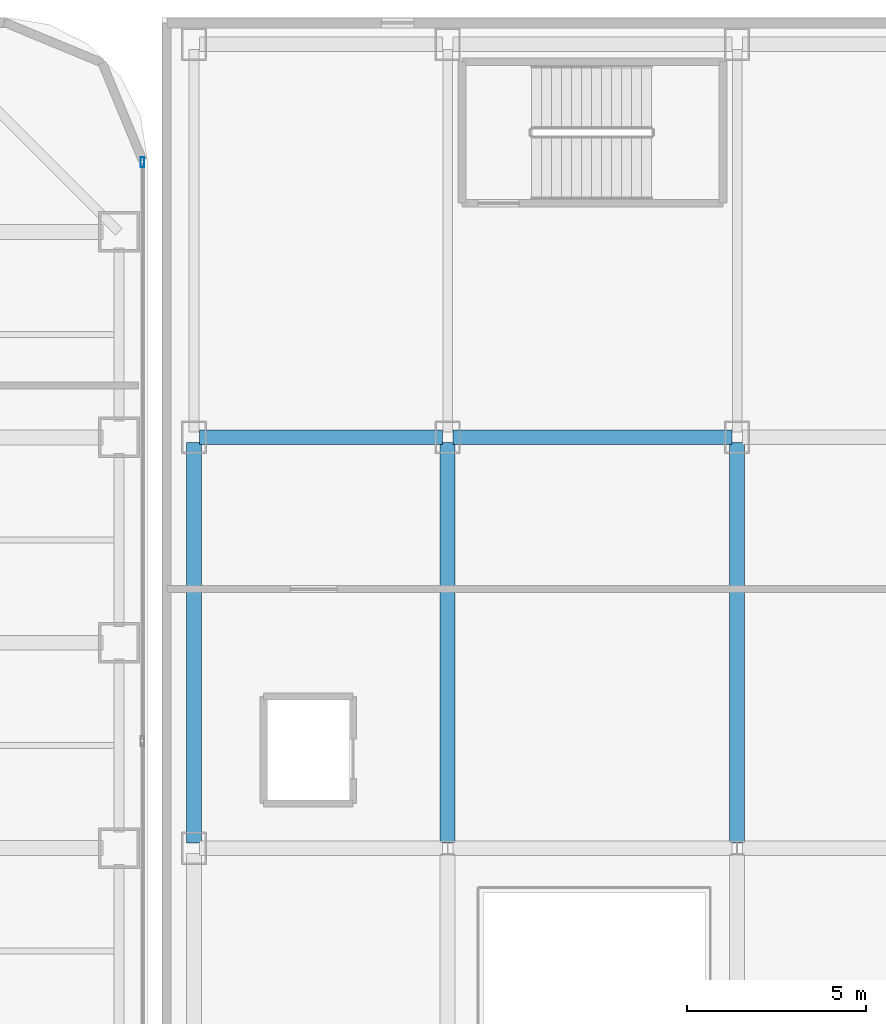
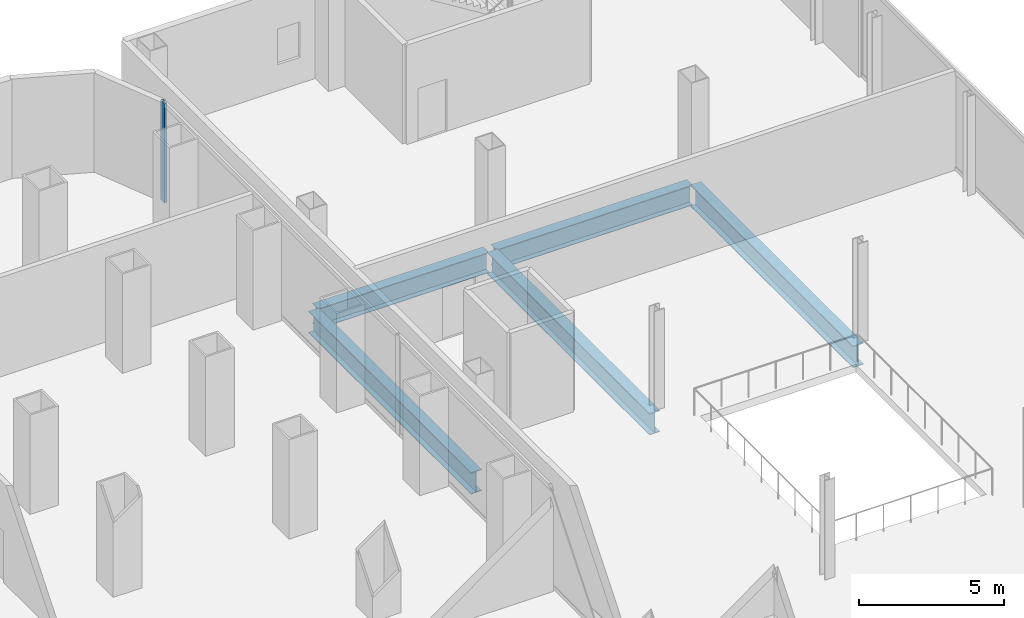
# One storey, part 14 of 27: 5 beams, 1 member, 1 element without a shape of its own.
"""IFC4 building model written with IfcOpenShell, lengths in metres."""

from ifc_helpers import new_model, si_unit, direction, frame, origin, origin_2d, place, context, subcontext, project, spatial, hollow_rectangle, i_section, extrude, source, transform, mapped, material, layer, layer_set, material_profile, profile_set, type_object, element, aggregate, save


model = new_model("IFC4")

# Units and contexts
model_context = context("Model", 3, precision=1e-05, world=origin(), true_north=direction((0.0, 1.0)))
body_context = subcontext(model_context, "Body", "Model", "MODEL_VIEW")
ifc_project = project(units=[si_unit("LENGTHUNIT", "METRE"), si_unit("AREAUNIT", "SQUARE_METRE"), si_unit("VOLUMEUNIT", "CUBIC_METRE"), si_unit("PLANEANGLEUNIT", "RADIAN"), si_unit("MASSUNIT", "GRAM", prefix="KILO")], contexts=[model_context])

# Site, building, storey
site_placement = place(None, origin())
site = spatial("IfcSite", under=ifc_project, at=site_placement, CompositionType="ELEMENT")
building_placement = place(site_placement, origin())
building = spatial("IfcBuilding", under=site, at=building_placement, Name="Kolveth Station Tower", CompositionType="ELEMENT")
storey_placement = place(building_placement, frame((0.0, 0.0, 13.5)))
storey = spatial("IfcBuildingStorey", under=building, at=storey_placement, Name="L03", CompositionType="ELEMENT", Elevation=13.5)

# Beams
ifc_material_1 = material(Name="Steel S355", Category="steel")
ifc_material_profile_1 = material_profile(ifc_material_1, i_section(OverallWidth=0.40087890625, OverallDepth=0.85107421875, WebThickness=0.01611328125, FlangeThickness=0.025390625, at=origin_2d()), Name="W840x226")
ifc_profile_set_1 = profile_set([ifc_material_profile_1], Name="Steel S355")
beam_type_1 = type_object("IfcBeamType", Name="Beam_B2", PredefinedType="BEAM", material=ifc_profile_set_1)
shared_shape_1 = source(origin(), body_context, "Body", "SweptSolid", [
    extrude(i_section(OverallWidth=0.40087890625, OverallDepth=0.85107421875, WebThickness=0.01611328125, FlangeThickness=0.025390625, at=origin_2d()), origin(), (0.0, 0.0, 1.0), 6.800048828125),
])
beam_1_placement = place(storey_placement, frame((48.449951171875, 28.75, -0.74560546875), z_axis=(1.0, 0.0, 0.0), x_axis=(0.0, 1.0, 0.0)))
element("IfcBeam", 1, at=beam_1_placement, inside=storey, type_object=beam_type_1, Name="L03 Station Portal Girder SBM-L03-EW-5-1", PredefinedType="BEAM", context=body_context, shape_type="MappedRepresentation", body=[
    mapped(shared_shape_1, transform((0.0, 0.0, 0.0), x_axis=(1.0, 0.0, 0.0), y_axis=(0.0, 1.0, 0.0), z_axis=(0.0, 0.0, 1.0), scale=1.0)),
])
shared_shape_2 = source(origin(), body_context, "Body", "SweptSolid", [
    extrude(i_section(OverallWidth=0.40087890625, OverallDepth=0.85107421875, WebThickness=0.01611328125, FlangeThickness=0.025390625, at=origin_2d()), origin(), (0.0, 0.0, 1.0), 7.800048828125),
])
beam_2_placement = place(storey_placement, frame((55.550048828125, 28.75, -0.74560546875), z_axis=(1.0, 0.0, 0.0), x_axis=(0.0, 1.0, 0.0)))
element("IfcBeam", 2, at=beam_2_placement, inside=storey, type_object=beam_type_1, Name="L03 Station Portal Girder SBM-L03-EW-5-2", PredefinedType="BEAM", context=body_context, shape_type="MappedRepresentation", body=[
    mapped(shared_shape_2, transform((0.0, 0.0, 0.0), x_axis=(1.0, 0.0, 0.0), y_axis=(0.0, 1.0, 0.0), z_axis=(0.0, 0.0, 1.0), scale=1.0)),
])
ifc_material_profile_2 = material_profile(ifc_material_1, i_section(OverallWidth=0.41796875, OverallDepth=0.912109375, WebThickness=0.019287109375, FlangeThickness=0.031982421875, at=origin_2d()), Name="W920x342")
ifc_profile_set_2 = profile_set([ifc_material_profile_2], Name="Steel S355")
beam_type_2 = type_object("IfcBeamType", Name="Beam_B1", PredefinedType="BEAM", material=ifc_profile_set_2)
shared_shape_3 = source(origin(), body_context, "Body", "SweptSolid", [
    extrude(i_section(OverallWidth=0.41796875, OverallDepth=0.912109375, WebThickness=0.019287109375, FlangeThickness=0.031982421875, at=origin_2d()), origin(), (0.0, 0.0, 1.0), 11.2001953125),
])
for number, where, z_axis, x_axis, name in (
    (3, (48.300048828125, 17.39990234375, -0.77587890625), (0.0, 1.0, 0.0), (-1.0, 0.0, 0.0), "L03 Station Spine Girder SBM-L03-NS-1-4"),
    (4, (55.39990234375, 17.39990234375, -0.77587890625), (0.0, 1.0, 0.0), (-1.0, 0.0, 0.0), "L03 Station Spine Girder SBM-L03-NS-2-4"),
    (5, (63.5, 17.39990234375, -0.77587890625), (0.0, 1.0, 0.0), (-1.0, 0.0, 0.0), "L03 Station Spine Girder SBM-L03-NS-3-4"),
):
    element("IfcBeam", number, at=place(storey_placement, frame(where, z_axis=z_axis, x_axis=x_axis)), inside=storey, type_object=beam_type_2, Name=name, PredefinedType="BEAM", context=body_context, shape_type="MappedRepresentation", body=[
        mapped(shared_shape_3, transform((0.0, 0.0, 0.0), x_axis=(1.0, 0.0, 0.0), y_axis=(0.0, 1.0, 0.0), z_axis=(0.0, 0.0, 1.0), scale=1.0)),
    ])

# Curtain wall, member
ifc_material_2 = material(Name="Black anodized aluminium 6063-T6 and clear station glass", Category="aluminium")
ifc_layer = layer(ifc_material_2, 0.239990234375)
ifc_layer_set = layer_set([ifc_layer], Name="Black anodized aluminium 6063-T6 and clear station glass")
curtain_wall_type = type_object("IfcCurtainWallType", Name="CurtainWall_CW-ST", PredefinedType="NOTDEFINED", material=ifc_layer_set)
curtain_wall_placement = place(storey_placement, origin())
curtain_wall = element("IfcCurtainWall", 6, at=curtain_wall_placement, inside=storey, type_object=curtain_wall_type, Name="L03 Tower Podium East Storefront Curtain Wall", PredefinedType="NOTDEFINED")
ifc_material_3 = material(Name="Black anodized aluminium 6063-T6", Category="aluminium")
ifc_material_profile_3 = material_profile(ifc_material_3, hollow_rectangle(XDim=0.10009765625, YDim=0.280029296875, WallThickness=0.0048828125, at=origin_2d()), Name="ALU-100x280x5")
ifc_profile_set_3 = profile_set([ifc_material_profile_3], Name="Black anodized aluminium 6063-T6")
member_type = type_object("IfcMemberType", Name="Mullion_ML-ST", PredefinedType="MULLION", material=ifc_profile_set_3)
shared_shape_4 = source(origin(), body_context, "Body", "SweptSolid", [
    extrude(hollow_rectangle(XDim=0.10009765625, YDim=0.280029296875, WallThickness=0.0048828125, at=origin_2d()), origin(), (0.0, 0.0, 1.0), 4.179931640625),
])
member_placement = place(storey_placement, frame((46.860107421875, 36.449951171875, 0.0), z_axis=(0.0, 0.0, 1.0), x_axis=(-1.0, 0.0, 0.0)))
member = element("IfcMember", 7, at=member_placement, type_object=member_type, Name="CW-ST mullion 3", PredefinedType="MULLION", context=body_context, shape_type="MappedRepresentation", body=[
    mapped(shared_shape_4, transform((0.0, 0.0, 0.0), x_axis=(1.0, 0.0, 0.0), y_axis=(0.0, 1.0, 0.0), z_axis=(0.0, 0.0, 1.0), scale=1.0)),
])
aggregate(curtain_wall, [member])

save(model, "model.ifc")
